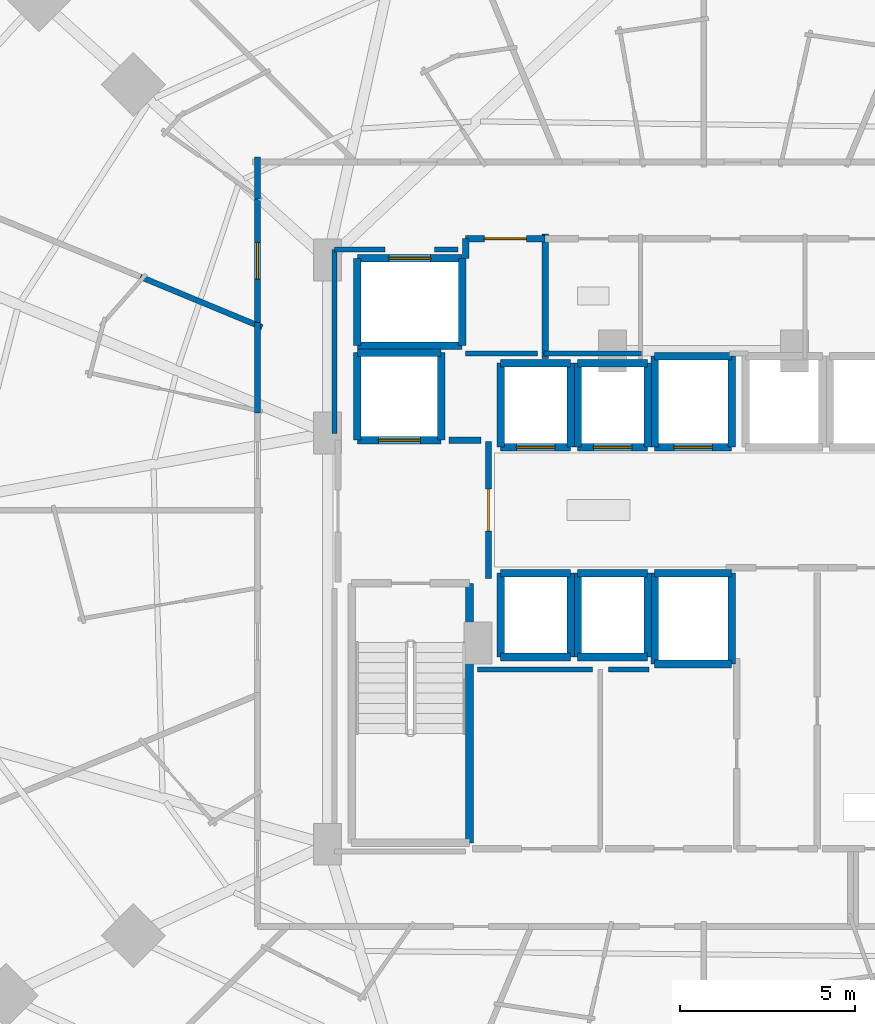
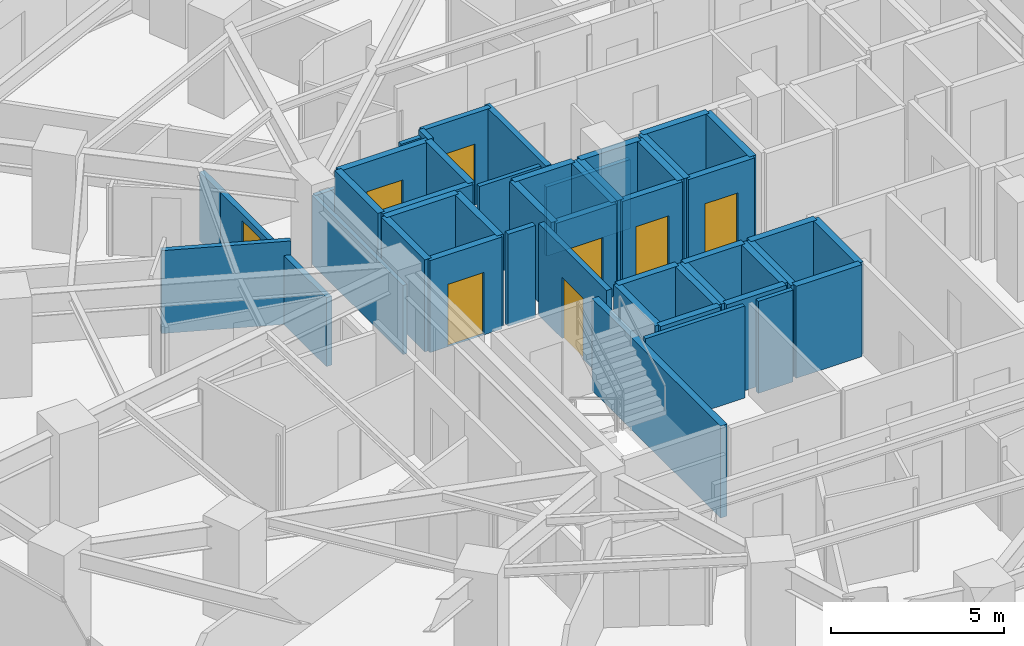
# One storey, part 27 of 34: 49 walls, 8 doors, 8 openings.
"""IFC4 building model written with IfcOpenShell, lengths in metres."""

from ifc_helpers import new_model, si_unit, direction, frame, frame_2d, origin, place, context, subcontext, project, spatial, rectangle, extrude, material, layer, layer_set, type_object, element, fill, save


model = new_model("IFC4")

# Units and contexts
model_context = context("Model", 3, precision=1e-05, world=origin(), true_north=direction((0.0, 1.0)))
body_context = subcontext(model_context, "Body", "Model", "MODEL_VIEW")
ifc_project = project(units=[si_unit("LENGTHUNIT", "METRE"), si_unit("AREAUNIT", "SQUARE_METRE"), si_unit("VOLUMEUNIT", "CUBIC_METRE"), si_unit("PLANEANGLEUNIT", "RADIAN"), si_unit("MASSUNIT", "GRAM", prefix="KILO")], contexts=[model_context])

# Site, building, storey
site_placement = place(None, origin())
site = spatial("IfcSite", under=ifc_project, at=site_placement, CompositionType="ELEMENT")
building_placement = place(site_placement, origin())
building = spatial("IfcBuilding", under=site, at=building_placement, Name="Vorneva Point Tower", CompositionType="ELEMENT")
storey_placement = place(building_placement, frame((0.0, 0.0, 31.0)))
storey = spatial("IfcBuildingStorey", under=building, at=storey_placement, Name="L07", CompositionType="ELEMENT", Elevation=31.0)

# Wall, opening, door
ifc_material_1 = material(Name="Concrete B60 (C50/60)", Category="concrete")
ifc_layer_1 = layer(ifc_material_1, 0.5)
ifc_layer_set_1 = layer_set([ifc_layer_1], Name="Concrete B60 (C50/60)")
wall_type_1 = type_object("IfcWallType", Name="WL-CORE-500", PredefinedType="SHEAR", material=ifc_layer_set_1)
wall_1_placement = place(storey_placement, frame((28.10009765625, 28.0, 0.0), z_axis=(0.0, 0.0, 1.0), x_axis=(1.0, 0.0, 0.0)))
wall_1 = element("IfcWall", 1, at=wall_1_placement, inside=storey, type_object=wall_type_1, Name="L07 Lift FFL1 Shaft Wall -Y", PredefinedType="SHEAR", context=body_context, shape_type="SweptSolid", body=[
    extrude(rectangle(XDim=2.39990234375, YDim=0.219970703125, at=frame_2d((1.199951171875, 0.0))), origin(), (0.0, 0.0, 1.0), 3.239990234375),
])
opening_1_placement = place(wall_1_placement, frame((0.60009765625, 0.0, 0.0)))
opening_1 = element("IfcOpeningElement", 2, at=opening_1_placement, cuts=wall_1, Name="Opening LD-02", PredefinedType="OPENING", context=body_context, shape_type="SweptSolid", body=[
    extrude(rectangle(XDim=1.199951171875, YDim=2.199951171875, at=frame_2d((0.60009765625, 1.10009765625))), frame((0.0, 0.125, 0.0), z_axis=(0.0, -1.0, 0.0), x_axis=(1.0, 0.0, 0.0)), (0.0, 0.0, 1.0), 0.249755859375),
])
ifc_material_2 = material(Name="Brushed stainless steel S304", Category="steel")
door_type_1 = type_object("IfcDoorType", Name="LD-FIRE-1200", OperationType="SLIDING_TO_LEFT", PredefinedType="DOOR", material=ifc_material_2)
door_1_placement = place(opening_1_placement, origin())
door_1 = element("IfcDoor", 3, at=door_1_placement, inside=storey, type_object=door_type_1, Name="L07 Lift FFL1 Sliding Landing Door", OperationType="SLIDING_TO_LEFT", OverallHeight=2.199951171875, OverallWidth=1.199951171875, PredefinedType="DOOR", context=body_context, shape_type="SweptSolid", body=[
    extrude(rectangle(XDim=1.199951171875, YDim=2.199951171875, at=frame_2d((0.60009765625, 1.10009765625))), frame((0.0, 0.02490234375, 0.0), z_axis=(0.0, -1.0, 0.0), x_axis=(1.0, 0.0, 0.0)), (0.0, 0.0, 1.0), 0.050048828125),
])
fill(opening_1, door_1)

# Walls
wall_2_placement = place(storey_placement, frame((30.5, 28.0, 0.0), z_axis=(0.0, 0.0, 1.0), x_axis=(0.0, 1.0, 0.0)))
element("IfcWall", 4, at=wall_2_placement, inside=storey, type_object=wall_type_1, Name="L07 Lift FFL1 Shaft Wall +X", PredefinedType="SHEAR", context=body_context, shape_type="SweptSolid", body=[
    extrude(rectangle(XDim=2.5, YDim=0.219970703125, at=frame_2d((1.25, 0.0))), origin(), (0.0, 0.0, 1.0), 3.239990234375),
])
wall_3_placement = place(storey_placement, frame((30.5, 30.5, 0.0), z_axis=(0.0, 0.0, 1.0), x_axis=(-1.0, 0.0, 0.0)))
element("IfcWall", 5, at=wall_3_placement, inside=storey, type_object=wall_type_1, Name="L07 Lift FFL1 Shaft Wall +Y", PredefinedType="SHEAR", context=body_context, shape_type="SweptSolid", body=[
    extrude(rectangle(XDim=2.39990234375, YDim=0.219970703125, at=frame_2d((1.199951171875, 0.0))), origin(), (0.0, 0.0, 1.0), 3.239990234375),
])
wall_4_placement = place(storey_placement, frame((28.10009765625, 30.5, 0.0), z_axis=(0.0, 0.0, 1.0), x_axis=(0.0, -1.0, 0.0)))
element("IfcWall", 6, at=wall_4_placement, inside=storey, type_object=wall_type_1, Name="L07 Lift FFL1 Shaft Wall -X", PredefinedType="SHEAR", context=body_context, shape_type="SweptSolid", body=[
    extrude(rectangle(XDim=2.5, YDim=0.219970703125, at=frame_2d((1.25, 0.0))), origin(), (0.0, 0.0, 1.0), 3.239990234375),
])
ifc_material_3 = material(Name="Fire-rated acoustic gypsum stud partition", Category="gypsum")
ifc_layer_2 = layer(ifc_material_3, 0.139892578125)
ifc_layer_set_2 = layer_set([ifc_layer_2], Name="Fire-rated acoustic gypsum stud partition")
wall_type_2 = type_object("IfcWallType", Name="WL-PART-140", PredefinedType="PARTITIONING", material=ifc_layer_set_2)
wall_5_placement = place(storey_placement, frame((31.199951171875, 30.47998046875, 0.0), z_axis=(0.0, 0.0, 1.0), x_axis=(1.0, 0.0, 0.0)))
element("IfcWall", 7, at=wall_5_placement, inside=storey, type_object=wall_type_2, Name="L07 Interior Closure Partition 109", PredefinedType="PARTITIONING", context=body_context, shape_type="SweptSolid", body=[
    extrude(rectangle(XDim=2.050048828125, YDim=0.139892578125, at=frame_2d((1.02490234375, 0.0))), origin(), (0.0, 0.0, 1.0), 3.239990234375),
])
wall_6_placement = place(storey_placement, frame((33.43994140625, 30.47998046875, 0.0), z_axis=(0.0, 0.0, 1.0), x_axis=(1.0, 0.0, 0.0)))
element("IfcWall", 8, at=wall_6_placement, inside=storey, type_object=wall_type_2, Name="L07 Interior Closure Partition 110", PredefinedType="PARTITIONING", context=body_context, shape_type="SweptSolid", body=[
    extrude(rectangle(XDim=2.7900390625, YDim=0.139892578125, at=frame_2d((1.39501953125, 0.0))), origin(), (0.0, 0.0, 1.0), 2.431884765625),
])
wall_7_placement = place(storey_placement, frame((34.830078125, 21.449951171875, 0.0), z_axis=(0.0, 0.0, 1.0), x_axis=(-1.0, 0.0, 0.0)))
element("IfcWall", 9, at=wall_7_placement, inside=storey, type_object=wall_type_2, Name="L07 Interior Closure Partition 114", PredefinedType="PARTITIONING", context=body_context, shape_type="SweptSolid", body=[
    extrude(rectangle(XDim=3.300048828125, YDim=0.139892578125, at=frame_2d((1.64990234375, 0.0))), origin(), (0.0, 0.0, 1.0), 3.239990234375),
])
wall_8_placement = place(storey_placement, frame((36.43896484375, 21.449951171875, 0.0), z_axis=(0.0, 0.0, 1.0), x_axis=(-1.0, 0.0, 0.0)))
element("IfcWall", 10, at=wall_8_placement, inside=storey, type_object=wall_type_2, Name="L07 Interior Closure Partition 115", PredefinedType="PARTITIONING", context=body_context, shape_type="SweptSolid", body=[
    extrude(rectangle(XDim=1.158935546875, YDim=0.139892578125, at=frame_2d((0.57958984375, 0.0))), origin(), (0.0, 0.0, 1.0), 3.239990234375),
])
wall_9_placement = place(storey_placement, frame((27.449951171875, 28.196044921875, 0.0), z_axis=(0.0, 0.0, 1.0), x_axis=(0.0, 1.0, 0.0)))
element("IfcWall", 11, at=wall_9_placement, inside=storey, type_object=wall_type_2, Name="L07 Interior Closure Partition 122", PredefinedType="PARTITIONING", context=body_context, shape_type="SweptSolid", body=[
    extrude(rectangle(XDim=5.25390625, YDim=0.139892578125, at=frame_2d((2.626953125, 0.0))), origin(), (0.0, 0.0, 1.0), 2.431884765625),
])
wall_10_placement = place(storey_placement, frame((27.449951171875, 33.449951171875, 0.0), z_axis=(0.0, 0.0, 1.0), x_axis=(1.0, 0.0, 0.0)))
element("IfcWall", 12, at=wall_10_placement, inside=storey, type_object=wall_type_2, Name="L07 Interior Closure Partition 123", PredefinedType="PARTITIONING", context=body_context, shape_type="SweptSolid", body=[
    extrude(rectangle(XDim=1.444091796875, YDim=0.139892578125, at=frame_2d((0.72216796875, 0.0))), origin(), (0.0, 0.0, 1.0), 2.431884765625),
])
wall_11_placement = place(storey_placement, frame((30.305908203125, 33.449951171875, 0.0), z_axis=(0.0, 0.0, 1.0), x_axis=(1.0, 0.0, 0.0)))
element("IfcWall", 13, at=wall_11_placement, inside=storey, type_object=wall_type_2, Name="L07 Interior Closure Partition 124", PredefinedType="PARTITIONING", context=body_context, shape_type="SweptSolid", body=[
    extrude(rectangle(XDim=0.674072265625, YDim=0.139892578125, at=frame_2d((0.3369140625, 0.0))), origin(), (0.0, 0.0, 1.0), 3.239990234375),
])
ifc_layer_3 = layer(ifc_material_3, 0.159912109375)
ifc_layer_set_3 = layer_set([ifc_layer_3], Name="Fire-rated acoustic gypsum stud partition")
wall_type_3 = type_object("IfcWallType", Name="WL-PART-160", PredefinedType="PARTITIONING", material=ifc_layer_set_3)
wall_12_placement = place(storey_placement, frame((21.898681640625, 32.66943359375, 0.0), z_axis=(0.0, 0.0, 1.0), x_axis=(0.923843852071, -0.382769561211, 0.0)))
element("IfcWall", 14, at=wall_12_placement, inside=storey, type_object=wall_type_3, Name="L07 Interior Partition 085", PredefinedType="PARTITIONING", context=body_context, shape_type="SweptSolid", body=[
    extrude(rectangle(XDim=3.767578125, YDim=0.159912109375, at=frame_2d((1.8837890625, 0.0))), origin(), (0.0, 0.0, 1.0), 2.922119140625),
])

# Wall, opening, door
ifc_material_4 = material(Name="Autoclaved aerated concrete blockwork", Category="masonry")
ifc_layer_4 = layer(ifc_material_4, 0.179931640625)
ifc_layer_set_4 = layer_set([ifc_layer_4], Name="Autoclaved aerated concrete blockwork")
wall_type_4 = type_object("IfcWallType", Name="WL-PART-180", PredefinedType="PARTITIONING", material=ifc_layer_set_4)
wall_13_placement = place(storey_placement, frame((31.85009765625, 24.044921875, 0.0), z_axis=(0.0, 0.0, 1.0), x_axis=(0.0, 1.0, 0.0)))
wall_13 = element("IfcWall", 15, at=wall_13_placement, inside=storey, type_object=wall_type_4, Name="L07 Interior Partition 001", PredefinedType="PARTITIONING", context=body_context, shape_type="SweptSolid", body=[
    extrude(rectangle(XDim=3.91015625, YDim=0.179931640625, at=frame_2d((1.955078125, 0.0))), origin(), (0.0, 0.0, 1.0), 3.239990234375),
])
opening_2_placement = place(wall_13_placement, frame((1.35498046875, 0.0, 0.0)))
opening_2 = element("IfcOpeningElement", 16, at=opening_2_placement, cuts=wall_13, Name="Opening FD-02", PredefinedType="OPENING", context=body_context, shape_type="SweptSolid", body=[
    extrude(rectangle(XDim=1.199951171875, YDim=2.14990234375, at=frame_2d((0.60009765625, 1.074951171875))), frame((0.0, 0.10498046875, 0.0), z_axis=(0.0, -1.0, 0.0), x_axis=(1.0, 0.0, 0.0)), (0.0, 0.0, 1.0), 0.209716796875),
])
ifc_material_5 = material(Name="Fire-rated powder-coated steel", Category="steel")
door_type_2 = type_object("IfcDoorType", Name="DR-FFL-1200", OperationType="NOTDEFINED", PredefinedType="DOOR", material=ifc_material_5)
door_2_placement = place(opening_2_placement, origin())
door_2 = element("IfcDoor", 17, at=door_2_placement, inside=storey, type_object=door_type_2, Name="L07 Door West Firefighting Lobby / Central Lift Lobby", OperationType="SINGLE_SWING_LEFT", OverallHeight=2.14990234375, OverallWidth=1.199951171875, PredefinedType="DOOR", context=body_context, shape_type="SweptSolid", body=[
    extrude(rectangle(XDim=1.199951171875, YDim=2.14990234375, at=frame_2d((0.60009765625, 1.074951171875))), frame((0.0, 0.02490234375, 0.0), z_axis=(0.0, -1.0, 0.0), x_axis=(1.0, 0.0, 0.0)), (0.0, 0.0, 1.0), 0.050048828125),
])
fill(opening_2, door_2)

# Wall
wall_14_placement = place(storey_placement, frame((33.469970703125, 30.340087890625, 0.0), z_axis=(0.0, 0.0, 1.0), x_axis=(0.0, 1.0, 0.0)))
element("IfcWall", 18, at=wall_14_placement, inside=storey, type_object=wall_type_4, Name="L07 Interior Partition 006", PredefinedType="PARTITIONING", context=body_context, shape_type="SweptSolid", body=[
    extrude(rectangle(XDim=3.559814453125, YDim=0.179931640625, at=frame_2d((1.77978515625, 0.0))), origin(), (0.0, 0.0, 1.0), 3.239990234375),
])

# Wall, opening, door
wall_15_placement = place(storey_placement, frame((33.469970703125, 33.760009765625, 0.0), z_axis=(0.0, 0.0, 1.0), x_axis=(-1.0, 0.0, 0.0)))
wall_15 = element("IfcWall", 19, at=wall_15_placement, inside=storey, type_object=wall_type_4, Name="L07 Interior Partition 007", PredefinedType="PARTITIONING", context=body_context, shape_type="SweptSolid", body=[
    extrude(rectangle(XDim=2.27001953125, YDim=0.179931640625, at=frame_2d((1.135009765625, 0.0))), origin(), (0.0, 0.0, 1.0), 3.239990234375),
])
opening_3_placement = place(wall_15_placement, frame((0.534912109375, 0.0, 0.0)))
opening_3 = element("IfcOpeningElement", 20, at=opening_3_placement, cuts=wall_15, Name="Opening FD-02", PredefinedType="OPENING", context=body_context, shape_type="SweptSolid", body=[
    extrude(rectangle(XDim=1.199951171875, YDim=2.14990234375, at=frame_2d((0.60009765625, 1.074951171875))), frame((0.0, 0.10498046875, 0.0), z_axis=(0.0, -1.0, 0.0), x_axis=(1.0, 0.0, 0.0)), (0.0, 0.0, 1.0), 0.209716796875),
])
door_3_placement = place(opening_3_placement, origin())
door_3 = element("IfcDoor", 21, at=door_3_placement, inside=storey, type_object=door_type_2, Name="L07 Door Service Lift Lobby / L07 Circulation Corridor", OperationType="SINGLE_SWING_LEFT", OverallHeight=2.14990234375, OverallWidth=1.199951171875, PredefinedType="DOOR", context=body_context, shape_type="SweptSolid", body=[
    extrude(rectangle(XDim=1.199951171875, YDim=2.14990234375, at=frame_2d((0.60009765625, 1.074951171875))), frame((0.0, 0.02490234375, 0.0), z_axis=(0.0, -1.0, 0.0), x_axis=(1.0, 0.0, 0.0)), (0.0, 0.0, 1.0), 0.050048828125),
])
fill(opening_3, door_3)

# Wall
wall_16_placement = place(storey_placement, frame((31.199951171875, 33.760009765625, 0.0), z_axis=(0.0, 0.0, 1.0), x_axis=(0.0, -1.0, 0.0)))
element("IfcWall", 22, at=wall_16_placement, inside=storey, type_object=wall_type_4, Name="L07 Interior Partition 008", PredefinedType="PARTITIONING", context=body_context, shape_type="SweptSolid", body=[
    extrude(rectangle(XDim=0.56005859375, YDim=0.179931640625, at=frame_2d((0.280029296875, 0.0))), origin(), (0.0, 0.0, 1.0), 3.239990234375),
])

# Wall, opening, door
wall_17_placement = place(storey_placement, frame((25.25, 35.033935546875, 0.0), z_axis=(0.0, 0.0, 1.0), x_axis=(0.0, -1.0, 0.0)))
wall_17 = element("IfcWall", 23, at=wall_17_placement, inside=storey, type_object=wall_type_4, Name="L07 Interior Partition 037", PredefinedType="PARTITIONING", context=body_context, shape_type="SweptSolid", body=[
    extrude(rectangle(XDim=3.81298828125, YDim=0.179931640625, at=frame_2d((1.906494140625, 0.0))), origin(), (0.0, 0.0, 1.0), 2.431884765625),
])
opening_4_placement = place(wall_17_placement, frame((1.381591796875, 0.0, 0.0)))
opening_4 = element("IfcOpeningElement", 24, at=opening_4_placement, cuts=wall_17, Name="Opening UD-02", PredefinedType="OPENING", context=body_context, shape_type="SweptSolid", body=[
    extrude(rectangle(XDim=1.050048828125, YDim=2.199951171875, at=frame_2d((0.52490234375, 1.10009765625))), frame((0.0, 0.10498046875, 0.0), z_axis=(0.0, -1.0, 0.0), x_axis=(1.0, 0.0, 0.0)), (0.0, 0.0, 1.0), 0.209716796875),
])
ifc_material_6 = material(Name="Engineered oak fire-rated door leaf", Category="wood")
door_type_3 = type_object("IfcDoorType", Name="DR-SUITE-1050", OperationType="NOTDEFINED", PredefinedType="DOOR", material=ifc_material_6)
door_4_placement = place(opening_4_placement, origin())
door_4 = element("IfcDoor", 25, at=door_4_placement, inside=storey, type_object=door_type_3, Name="L07 Door L07 Circulation Corridor / Junior Suite L07-07", OperationType="SINGLE_SWING_LEFT", OverallHeight=2.199951171875, OverallWidth=1.050048828125, PredefinedType="DOOR", context=body_context, shape_type="SweptSolid", body=[
    extrude(rectangle(XDim=1.050048828125, YDim=2.199951171875, at=frame_2d((0.52490234375, 1.10009765625))), frame((0.0, 0.02490234375, 0.0), z_axis=(0.0, -1.0, 0.0), x_axis=(1.0, 0.0, 0.0)), (0.0, 0.0, 1.0), 0.050048828125),
])
fill(opening_4, door_4)

# Walls
wall_18_placement = place(storey_placement, frame((25.25, 36.090087890625, 0.0), z_axis=(0.0, 0.0, 1.0), x_axis=(0.0, -1.0, 0.0)))
element("IfcWall", 26, at=wall_18_placement, inside=storey, type_object=wall_type_4, Name="L07 Interior Partition 039", PredefinedType="PARTITIONING", context=body_context, shape_type="SweptSolid", body=[
    extrude(rectangle(XDim=1.196044921875, YDim=0.179931640625, at=frame_2d((0.59814453125, 0.0))), origin(), (0.0, 0.0, 1.0), 2.431884765625),
])
wall_19_placement = place(storey_placement, frame((25.25, 31.361083984375, 0.0), z_axis=(0.0, 0.0, 1.0), x_axis=(0.0, -1.0, 0.0)))
element("IfcWall", 27, at=wall_19_placement, inside=storey, type_object=wall_type_4, Name="L07 Interior Partition 041", PredefinedType="PARTITIONING", context=body_context, shape_type="SweptSolid", body=[
    extrude(rectangle(XDim=2.590087890625, YDim=0.179931640625, at=frame_2d((1.294921875, 0.0))), origin(), (0.0, 0.0, 1.0), 2.431884765625),
])
wall_20_placement = place(storey_placement, frame((31.635009765625, 28.0, 0.0), z_axis=(0.0, 0.0, 1.0), x_axis=(-1.0, 0.0, 0.0)))
element("IfcWall", 28, at=wall_20_placement, inside=storey, type_object=wall_type_4, Name="L07 Interior Closure Partition 107", PredefinedType="PARTITIONING", context=body_context, shape_type="SweptSolid", body=[
    extrude(rectangle(XDim=0.9150390625, YDim=0.179931640625, at=frame_2d((0.45751953125, 0.0))), origin(), (0.0, 0.0, 1.0), 3.239990234375),
])
ifc_material_7 = material(Name="Concrete B50 (C40/50)", Category="concrete")
ifc_layer_5 = layer(ifc_material_7, 0.219970703125)
ifc_layer_set_5 = layer_set([ifc_layer_5], Name="Concrete B50 (C40/50)")
wall_type_5 = type_object("IfcWallType", Name="WL-SHFT-220", PredefinedType="SOLIDWALL", material=ifc_layer_set_5)
wall_21_placement = place(storey_placement, frame((31.31005859375, 23.909912109375, 0.0), z_axis=(0.0, 0.0, 1.0), x_axis=(0.0, -1.0, 0.0)))
element("IfcWall", 29, at=wall_21_placement, inside=storey, type_object=wall_type_5, Name="L07 Exit Stair ST1 Shaft Wall right", PredefinedType="SOLIDWALL", context=body_context, shape_type="SweptSolid", body=[
    extrude(rectangle(XDim=7.419921875, YDim=0.219970703125, at=frame_2d((3.7099609375, 0.0))), origin(), (0.0, 0.0, 1.0), 3.239990234375),
])

# Wall, opening, door
wall_22_placement = place(storey_placement, frame((32.199951171875, 27.800048828125, 0.0), z_axis=(0.0, 0.0, 1.0), x_axis=(1.0, 0.0, 0.0)))
wall_22 = element("IfcWall", 30, at=wall_22_placement, inside=storey, type_object=wall_type_5, Name="L07 Lift PL1 Shaft Wall -Y", PredefinedType="SOLIDWALL", context=body_context, shape_type="SweptSolid", body=[
    extrude(rectangle(XDim=2.0, YDim=0.219970703125, at=frame_2d((1.0, 0.0))), origin(), (0.0, 0.0, 1.0), 3.239990234375),
])
opening_5_placement = place(wall_22_placement, frame((0.449951171875, 0.0, 0.0)))
opening_5 = element("IfcOpeningElement", 31, at=opening_5_placement, cuts=wall_22, Name="Opening LD-01", PredefinedType="OPENING", context=body_context, shape_type="SweptSolid", body=[
    extrude(rectangle(XDim=1.10009765625, YDim=2.199951171875, at=frame_2d((0.550048828125, 1.10009765625))), frame((0.0, 0.125, 0.0), z_axis=(0.0, -1.0, 0.0), x_axis=(1.0, 0.0, 0.0)), (0.0, 0.0, 1.0), 0.249755859375),
])
door_type_4 = type_object("IfcDoorType", Name="LD-PASS-1100", OperationType="SLIDING_TO_LEFT", PredefinedType="DOOR", material=ifc_material_2)
door_5_placement = place(opening_5_placement, origin())
door_5 = element("IfcDoor", 32, at=door_5_placement, inside=storey, type_object=door_type_4, Name="L07 Lift PL1 Sliding Landing Door", OperationType="SLIDING_TO_LEFT", OverallHeight=2.199951171875, OverallWidth=1.10009765625, PredefinedType="DOOR", context=body_context, shape_type="SweptSolid", body=[
    extrude(rectangle(XDim=1.10009765625, YDim=2.199951171875, at=frame_2d((0.550048828125, 1.10009765625))), frame((0.0, 0.02490234375, 0.0), z_axis=(0.0, -1.0, 0.0), x_axis=(1.0, 0.0, 0.0)), (0.0, 0.0, 1.0), 0.050048828125),
])
fill(opening_5, door_5)

# Walls
wall_23_placement = place(storey_placement, frame((34.199951171875, 27.800048828125, 0.0), z_axis=(0.0, 0.0, 1.0), x_axis=(0.0, 1.0, 0.0)))
element("IfcWall", 33, at=wall_23_placement, inside=storey, type_object=wall_type_5, Name="L07 Lift PL1 Shaft Wall +X", PredefinedType="SOLIDWALL", context=body_context, shape_type="SweptSolid", body=[
    extrude(rectangle(XDim=2.39990234375, YDim=0.219970703125, at=frame_2d((1.199951171875, 0.0))), origin(), (0.0, 0.0, 1.0), 3.239990234375),
])
wall_24_placement = place(storey_placement, frame((34.199951171875, 30.199951171875, 0.0), z_axis=(0.0, 0.0, 1.0), x_axis=(-1.0, 0.0, 0.0)))
element("IfcWall", 34, at=wall_24_placement, inside=storey, type_object=wall_type_5, Name="L07 Lift PL1 Shaft Wall +Y", PredefinedType="SOLIDWALL", context=body_context, shape_type="SweptSolid", body=[
    extrude(rectangle(XDim=2.0, YDim=0.219970703125, at=frame_2d((1.0, 0.0))), origin(), (0.0, 0.0, 1.0), 3.239990234375),
])
wall_25_placement = place(storey_placement, frame((32.199951171875, 30.199951171875, 0.0), z_axis=(0.0, 0.0, 1.0), x_axis=(0.0, -1.0, 0.0)))
element("IfcWall", 35, at=wall_25_placement, inside=storey, type_object=wall_type_5, Name="L07 Lift PL1 Shaft Wall -X", PredefinedType="SOLIDWALL", context=body_context, shape_type="SweptSolid", body=[
    extrude(rectangle(XDim=2.39990234375, YDim=0.219970703125, at=frame_2d((1.199951171875, 0.0))), origin(), (0.0, 0.0, 1.0), 3.239990234375),
])

# Wall, opening, door
wall_26_placement = place(storey_placement, frame((34.39990234375, 27.800048828125, 0.0), z_axis=(0.0, 0.0, 1.0), x_axis=(1.0, 0.0, 0.0)))
wall_26 = element("IfcWall", 36, at=wall_26_placement, inside=storey, type_object=wall_type_5, Name="L07 Lift PL2 Shaft Wall -Y", PredefinedType="SOLIDWALL", context=body_context, shape_type="SweptSolid", body=[
    extrude(rectangle(XDim=2.0, YDim=0.219970703125, at=frame_2d((1.0, 0.0))), origin(), (0.0, 0.0, 1.0), 3.239990234375),
])
opening_6_placement = place(wall_26_placement, frame((0.449951171875, 0.0, 0.0)))
opening_6 = element("IfcOpeningElement", 37, at=opening_6_placement, cuts=wall_26, Name="Opening LD-01", PredefinedType="OPENING", context=body_context, shape_type="SweptSolid", body=[
    extrude(rectangle(XDim=1.10009765625, YDim=2.199951171875, at=frame_2d((0.550048828125, 1.10009765625))), frame((0.0, 0.125, 0.0), z_axis=(0.0, -1.0, 0.0), x_axis=(1.0, 0.0, 0.0)), (0.0, 0.0, 1.0), 0.249755859375),
])
door_6_placement = place(opening_6_placement, origin())
door_6 = element("IfcDoor", 38, at=door_6_placement, inside=storey, type_object=door_type_4, Name="L07 Lift PL2 Sliding Landing Door", OperationType="SLIDING_TO_LEFT", OverallHeight=2.199951171875, OverallWidth=1.10009765625, PredefinedType="DOOR", context=body_context, shape_type="SweptSolid", body=[
    extrude(rectangle(XDim=1.10009765625, YDim=2.199951171875, at=frame_2d((0.550048828125, 1.10009765625))), frame((0.0, 0.02490234375, 0.0), z_axis=(0.0, -1.0, 0.0), x_axis=(1.0, 0.0, 0.0)), (0.0, 0.0, 1.0), 0.050048828125),
])
fill(opening_6, door_6)

# Walls
wall_27_placement = place(storey_placement, frame((36.39990234375, 27.800048828125, 0.0), z_axis=(0.0, 0.0, 1.0), x_axis=(0.0, 1.0, 0.0)))
element("IfcWall", 39, at=wall_27_placement, inside=storey, type_object=wall_type_5, Name="L07 Lift PL2 Shaft Wall +X", PredefinedType="SOLIDWALL", context=body_context, shape_type="SweptSolid", body=[
    extrude(rectangle(XDim=2.39990234375, YDim=0.219970703125, at=frame_2d((1.199951171875, 0.0))), origin(), (0.0, 0.0, 1.0), 3.239990234375),
])
wall_28_placement = place(storey_placement, frame((36.39990234375, 30.199951171875, 0.0), z_axis=(0.0, 0.0, 1.0), x_axis=(-1.0, 0.0, 0.0)))
element("IfcWall", 40, at=wall_28_placement, inside=storey, type_object=wall_type_5, Name="L07 Lift PL2 Shaft Wall +Y", PredefinedType="SOLIDWALL", context=body_context, shape_type="SweptSolid", body=[
    extrude(rectangle(XDim=2.0, YDim=0.219970703125, at=frame_2d((1.0, 0.0))), origin(), (0.0, 0.0, 1.0), 3.239990234375),
])
wall_29_placement = place(storey_placement, frame((34.39990234375, 30.199951171875, 0.0), z_axis=(0.0, 0.0, 1.0), x_axis=(0.0, -1.0, 0.0)))
element("IfcWall", 41, at=wall_29_placement, inside=storey, type_object=wall_type_5, Name="L07 Lift PL2 Shaft Wall -X", PredefinedType="SOLIDWALL", context=body_context, shape_type="SweptSolid", body=[
    extrude(rectangle(XDim=2.39990234375, YDim=0.219970703125, at=frame_2d((1.199951171875, 0.0))), origin(), (0.0, 0.0, 1.0), 3.239990234375),
])

# Wall, opening, door
wall_30_placement = place(storey_placement, frame((36.60009765625, 27.800048828125, 0.0), z_axis=(0.0, 0.0, 1.0), x_axis=(1.0, 0.0, 0.0)))
wall_30 = element("IfcWall", 42, at=wall_30_placement, inside=storey, type_object=wall_type_5, Name="L07 Lift PL3 Shaft Wall -Y", PredefinedType="SOLIDWALL", context=body_context, shape_type="SweptSolid", body=[
    extrude(rectangle(XDim=2.199951171875, YDim=0.219970703125, at=frame_2d((1.10009765625, 0.0))), origin(), (0.0, 0.0, 1.0), 3.239990234375),
])
opening_7_placement = place(wall_30_placement, frame((0.550048828125, 0.0, 0.0)))
opening_7 = element("IfcOpeningElement", 43, at=opening_7_placement, cuts=wall_30, Name="Opening LD-01", PredefinedType="OPENING", context=body_context, shape_type="SweptSolid", body=[
    extrude(rectangle(XDim=1.10009765625, YDim=2.199951171875, at=frame_2d((0.550048828125, 1.10009765625))), frame((0.0, 0.125, 0.0), z_axis=(0.0, -1.0, 0.0), x_axis=(1.0, 0.0, 0.0)), (0.0, 0.0, 1.0), 0.249755859375),
])
door_7_placement = place(opening_7_placement, origin())
door_7 = element("IfcDoor", 44, at=door_7_placement, inside=storey, type_object=door_type_4, Name="L07 Lift PL3 Sliding Landing Door", OperationType="SLIDING_TO_LEFT", OverallHeight=2.199951171875, OverallWidth=1.10009765625, PredefinedType="DOOR", context=body_context, shape_type="SweptSolid", body=[
    extrude(rectangle(XDim=1.10009765625, YDim=2.199951171875, at=frame_2d((0.550048828125, 1.10009765625))), frame((0.0, 0.02490234375, 0.0), z_axis=(0.0, -1.0, 0.0), x_axis=(1.0, 0.0, 0.0)), (0.0, 0.0, 1.0), 0.050048828125),
])
fill(opening_7, door_7)

# Walls
wall_31_placement = place(storey_placement, frame((38.800048828125, 27.800048828125, 0.0), z_axis=(0.0, 0.0, 1.0), x_axis=(0.0, 1.0, 0.0)))
element("IfcWall", 45, at=wall_31_placement, inside=storey, type_object=wall_type_5, Name="L07 Lift PL3 Shaft Wall +X", PredefinedType="SOLIDWALL", context=body_context, shape_type="SweptSolid", body=[
    extrude(rectangle(XDim=2.599853515625, YDim=0.219970703125, at=frame_2d((1.2998046875, 0.0))), origin(), (0.0, 0.0, 1.0), 3.239990234375),
])
wall_32_placement = place(storey_placement, frame((38.800048828125, 30.39990234375, 0.0), z_axis=(0.0, 0.0, 1.0), x_axis=(-1.0, 0.0, 0.0)))
element("IfcWall", 46, at=wall_32_placement, inside=storey, type_object=wall_type_5, Name="L07 Lift PL3 Shaft Wall +Y", PredefinedType="SOLIDWALL", context=body_context, shape_type="SweptSolid", body=[
    extrude(rectangle(XDim=2.199951171875, YDim=0.219970703125, at=frame_2d((1.10009765625, 0.0))), origin(), (0.0, 0.0, 1.0), 3.239990234375),
])
wall_33_placement = place(storey_placement, frame((36.60009765625, 30.39990234375, 0.0), z_axis=(0.0, 0.0, 1.0), x_axis=(0.0, -1.0, 0.0)))
element("IfcWall", 47, at=wall_33_placement, inside=storey, type_object=wall_type_5, Name="L07 Lift PL3 Shaft Wall -X", PredefinedType="SOLIDWALL", context=body_context, shape_type="SweptSolid", body=[
    extrude(rectangle(XDim=2.599853515625, YDim=0.219970703125, at=frame_2d((1.2998046875, 0.0))), origin(), (0.0, 0.0, 1.0), 3.239990234375),
])
wall_34_placement = place(storey_placement, frame((32.199951171875, 21.800048828125, 0.0), z_axis=(0.0, 0.0, 1.0), x_axis=(1.0, 0.0, 0.0)))
element("IfcWall", 48, at=wall_34_placement, inside=storey, type_object=wall_type_5, Name="L07 Lift PL4 Shaft Wall -Y", PredefinedType="SOLIDWALL", context=body_context, shape_type="SweptSolid", body=[
    extrude(rectangle(XDim=2.0, YDim=0.219970703125, at=frame_2d((1.0, 0.0))), origin(), (0.0, 0.0, 1.0), 3.239990234375),
])
wall_35_placement = place(storey_placement, frame((34.199951171875, 21.800048828125, 0.0), z_axis=(0.0, 0.0, 1.0), x_axis=(0.0, 1.0, 0.0)))
element("IfcWall", 49, at=wall_35_placement, inside=storey, type_object=wall_type_5, Name="L07 Lift PL4 Shaft Wall +X", PredefinedType="SOLIDWALL", context=body_context, shape_type="SweptSolid", body=[
    extrude(rectangle(XDim=2.39990234375, YDim=0.219970703125, at=frame_2d((1.199951171875, 0.0))), origin(), (0.0, 0.0, 1.0), 3.239990234375),
])
wall_36_placement = place(storey_placement, frame((34.199951171875, 24.199951171875, 0.0), z_axis=(0.0, 0.0, 1.0), x_axis=(-1.0, 0.0, 0.0)))
element("IfcWall", 50, at=wall_36_placement, inside=storey, type_object=wall_type_5, Name="L07 Lift PL4 Shaft Wall +Y", PredefinedType="SOLIDWALL", context=body_context, shape_type="SweptSolid", body=[
    extrude(rectangle(XDim=2.0, YDim=0.219970703125, at=frame_2d((1.0, 0.0))), origin(), (0.0, 0.0, 1.0), 3.239990234375),
])
wall_37_placement = place(storey_placement, frame((32.199951171875, 24.199951171875, 0.0), z_axis=(0.0, 0.0, 1.0), x_axis=(0.0, -1.0, 0.0)))
element("IfcWall", 51, at=wall_37_placement, inside=storey, type_object=wall_type_5, Name="L07 Lift PL4 Shaft Wall -X", PredefinedType="SOLIDWALL", context=body_context, shape_type="SweptSolid", body=[
    extrude(rectangle(XDim=2.39990234375, YDim=0.219970703125, at=frame_2d((1.199951171875, 0.0))), origin(), (0.0, 0.0, 1.0), 3.239990234375),
])
wall_38_placement = place(storey_placement, frame((34.39990234375, 21.800048828125, 0.0), z_axis=(0.0, 0.0, 1.0), x_axis=(1.0, 0.0, 0.0)))
element("IfcWall", 52, at=wall_38_placement, inside=storey, type_object=wall_type_5, Name="L07 Lift PL5 Shaft Wall -Y", PredefinedType="SOLIDWALL", context=body_context, shape_type="SweptSolid", body=[
    extrude(rectangle(XDim=2.0, YDim=0.219970703125, at=frame_2d((1.0, 0.0))), origin(), (0.0, 0.0, 1.0), 3.239990234375),
])
wall_39_placement = place(storey_placement, frame((36.39990234375, 21.800048828125, 0.0), z_axis=(0.0, 0.0, 1.0), x_axis=(0.0, 1.0, 0.0)))
element("IfcWall", 53, at=wall_39_placement, inside=storey, type_object=wall_type_5, Name="L07 Lift PL5 Shaft Wall +X", PredefinedType="SOLIDWALL", context=body_context, shape_type="SweptSolid", body=[
    extrude(rectangle(XDim=2.39990234375, YDim=0.219970703125, at=frame_2d((1.199951171875, 0.0))), origin(), (0.0, 0.0, 1.0), 3.239990234375),
])
wall_40_placement = place(storey_placement, frame((36.39990234375, 24.199951171875, 0.0), z_axis=(0.0, 0.0, 1.0), x_axis=(-1.0, 0.0, 0.0)))
element("IfcWall", 54, at=wall_40_placement, inside=storey, type_object=wall_type_5, Name="L07 Lift PL5 Shaft Wall +Y", PredefinedType="SOLIDWALL", context=body_context, shape_type="SweptSolid", body=[
    extrude(rectangle(XDim=2.0, YDim=0.219970703125, at=frame_2d((1.0, 0.0))), origin(), (0.0, 0.0, 1.0), 3.239990234375),
])
wall_41_placement = place(storey_placement, frame((34.39990234375, 24.199951171875, 0.0), z_axis=(0.0, 0.0, 1.0), x_axis=(0.0, -1.0, 0.0)))
element("IfcWall", 55, at=wall_41_placement, inside=storey, type_object=wall_type_5, Name="L07 Lift PL5 Shaft Wall -X", PredefinedType="SOLIDWALL", context=body_context, shape_type="SweptSolid", body=[
    extrude(rectangle(XDim=2.39990234375, YDim=0.219970703125, at=frame_2d((1.199951171875, 0.0))), origin(), (0.0, 0.0, 1.0), 3.239990234375),
])
wall_42_placement = place(storey_placement, frame((36.60009765625, 21.60009765625, 0.0), z_axis=(0.0, 0.0, 1.0), x_axis=(1.0, 0.0, 0.0)))
element("IfcWall", 56, at=wall_42_placement, inside=storey, type_object=wall_type_5, Name="L07 Lift PL6 Shaft Wall -Y", PredefinedType="SOLIDWALL", context=body_context, shape_type="SweptSolid", body=[
    extrude(rectangle(XDim=2.199951171875, YDim=0.219970703125, at=frame_2d((1.10009765625, 0.0))), origin(), (0.0, 0.0, 1.0), 3.239990234375),
])
wall_43_placement = place(storey_placement, frame((38.800048828125, 21.60009765625, 0.0), z_axis=(0.0, 0.0, 1.0), x_axis=(0.0, 1.0, 0.0)))
element("IfcWall", 57, at=wall_43_placement, inside=storey, type_object=wall_type_5, Name="L07 Lift PL6 Shaft Wall +X", PredefinedType="SOLIDWALL", context=body_context, shape_type="SweptSolid", body=[
    extrude(rectangle(XDim=2.599853515625, YDim=0.219970703125, at=frame_2d((1.2998046875, 0.0))), origin(), (0.0, 0.0, 1.0), 3.239990234375),
])
wall_44_placement = place(storey_placement, frame((38.800048828125, 24.199951171875, 0.0), z_axis=(0.0, 0.0, 1.0), x_axis=(-1.0, 0.0, 0.0)))
element("IfcWall", 58, at=wall_44_placement, inside=storey, type_object=wall_type_5, Name="L07 Lift PL6 Shaft Wall +Y", PredefinedType="SOLIDWALL", context=body_context, shape_type="SweptSolid", body=[
    extrude(rectangle(XDim=2.199951171875, YDim=0.219970703125, at=frame_2d((1.10009765625, 0.0))), origin(), (0.0, 0.0, 1.0), 3.239990234375),
])
wall_45_placement = place(storey_placement, frame((36.60009765625, 24.199951171875, 0.0), z_axis=(0.0, 0.0, 1.0), x_axis=(0.0, -1.0, 0.0)))
element("IfcWall", 59, at=wall_45_placement, inside=storey, type_object=wall_type_5, Name="L07 Lift PL6 Shaft Wall -X", PredefinedType="SOLIDWALL", context=body_context, shape_type="SweptSolid", body=[
    extrude(rectangle(XDim=2.599853515625, YDim=0.219970703125, at=frame_2d((1.2998046875, 0.0))), origin(), (0.0, 0.0, 1.0), 3.239990234375),
])
wall_46_placement = place(storey_placement, frame((28.10009765625, 30.699951171875, 0.0), z_axis=(0.0, 0.0, 1.0), x_axis=(1.0, 0.0, 0.0)))
element("IfcWall", 60, at=wall_46_placement, inside=storey, type_object=wall_type_5, Name="L07 Lift SVL1 Shaft Wall -Y", PredefinedType="SOLIDWALL", context=body_context, shape_type="SweptSolid", body=[
    extrude(rectangle(XDim=3.0, YDim=0.219970703125, at=frame_2d((1.5, 0.0))), origin(), (0.0, 0.0, 1.0), 3.239990234375),
])
wall_47_placement = place(storey_placement, frame((31.10009765625, 30.699951171875, 0.0), z_axis=(0.0, 0.0, 1.0), x_axis=(0.0, 1.0, 0.0)))
element("IfcWall", 61, at=wall_47_placement, inside=storey, type_object=wall_type_5, Name="L07 Lift SVL1 Shaft Wall +X", PredefinedType="SOLIDWALL", context=body_context, shape_type="SweptSolid", body=[
    extrude(rectangle(XDim=2.5, YDim=0.219970703125, at=frame_2d((1.25, 0.0))), origin(), (0.0, 0.0, 1.0), 3.239990234375),
])

# Wall, opening, door
wall_48_placement = place(storey_placement, frame((31.10009765625, 33.199951171875, 0.0), z_axis=(0.0, 0.0, 1.0), x_axis=(-1.0, 0.0, 0.0)))
wall_48 = element("IfcWall", 62, at=wall_48_placement, inside=storey, type_object=wall_type_5, Name="L07 Lift SVL1 Shaft Wall +Y", PredefinedType="SOLIDWALL", context=body_context, shape_type="SweptSolid", body=[
    extrude(rectangle(XDim=3.0, YDim=0.219970703125, at=frame_2d((1.5, 0.0))), origin(), (0.0, 0.0, 1.0), 3.239990234375),
])
opening_8_placement = place(wall_48_placement, frame((0.89990234375, 0.0, 0.0)))
opening_8 = element("IfcOpeningElement", 63, at=opening_8_placement, cuts=wall_48, Name="Opening LD-02", PredefinedType="OPENING", context=body_context, shape_type="SweptSolid", body=[
    extrude(rectangle(XDim=1.199951171875, YDim=2.199951171875, at=frame_2d((0.60009765625, 1.10009765625))), frame((0.0, 0.125, 0.0), z_axis=(0.0, -1.0, 0.0), x_axis=(1.0, 0.0, 0.0)), (0.0, 0.0, 1.0), 0.249755859375),
])
door_8_placement = place(opening_8_placement, origin())
door_8 = element("IfcDoor", 64, at=door_8_placement, inside=storey, type_object=door_type_1, Name="L07 Lift SVL1 Sliding Landing Door", OperationType="SLIDING_TO_LEFT", OverallHeight=2.199951171875, OverallWidth=1.199951171875, PredefinedType="DOOR", context=body_context, shape_type="SweptSolid", body=[
    extrude(rectangle(XDim=1.199951171875, YDim=2.199951171875, at=frame_2d((0.60009765625, 1.10009765625))), frame((0.0, 0.02490234375, 0.0), z_axis=(0.0, -1.0, 0.0), x_axis=(1.0, 0.0, 0.0)), (0.0, 0.0, 1.0), 0.050048828125),
])
fill(opening_8, door_8)

# Wall
wall_49_placement = place(storey_placement, frame((28.10009765625, 33.199951171875, 0.0), z_axis=(0.0, 0.0, 1.0), x_axis=(0.0, -1.0, 0.0)))
element("IfcWall", 65, at=wall_49_placement, inside=storey, type_object=wall_type_5, Name="L07 Lift SVL1 Shaft Wall -X", PredefinedType="SOLIDWALL", context=body_context, shape_type="SweptSolid", body=[
    extrude(rectangle(XDim=2.5, YDim=0.219970703125, at=frame_2d((1.25, 0.0))), origin(), (0.0, 0.0, 1.0), 3.239990234375),
])

save(model, "model.ifc")
